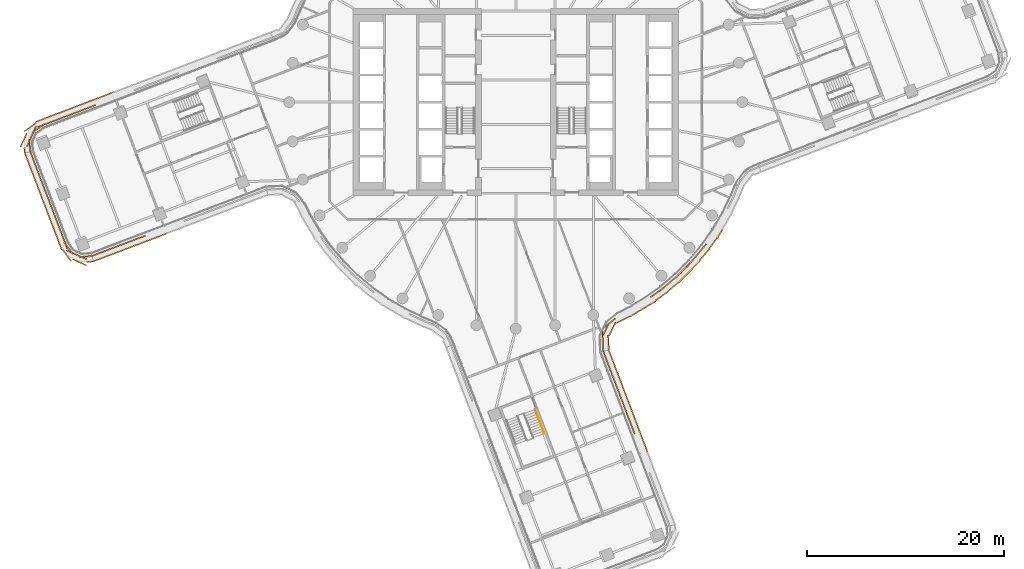
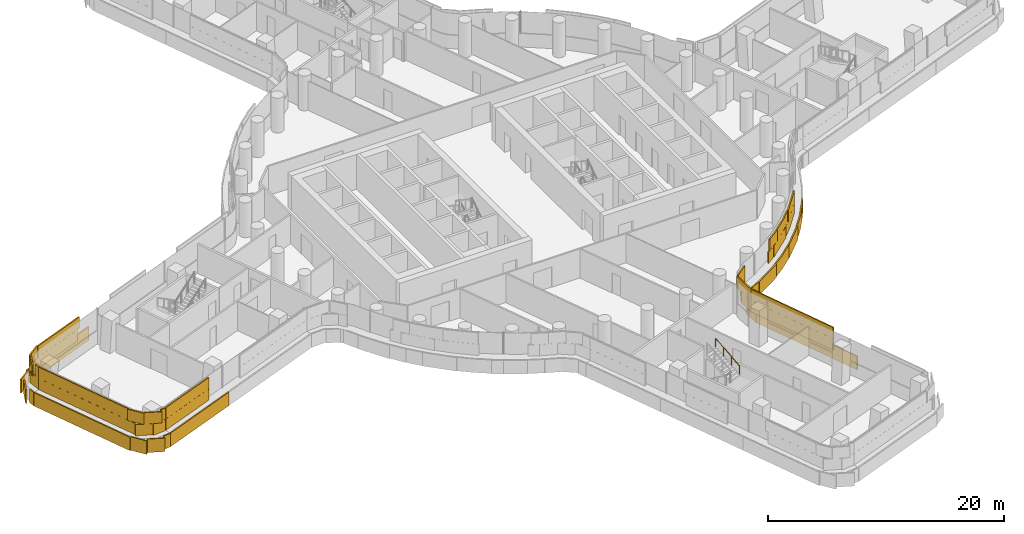
# One storey, part 27 of 32: 5 coverings, 1 railing.
"""IFC4 building model written with IfcOpenShell, lengths in metres."""

from ifc_helpers import new_model, si_unit, direction, frame, origin, origin_2d, place, context, subcontext, project, spatial, rectangle, circle, extrude, material, layer, layer_set, type_object, element, save


model = new_model("IFC4")

# Units and contexts
model_context = context("Model", 3, precision=1e-05, world=origin(), true_north=direction((0.0, 1.0)))
body_context = subcontext(model_context, "Body", "Model", "MODEL_VIEW")
ifc_project = project(units=[si_unit("LENGTHUNIT", "METRE"), si_unit("AREAUNIT", "SQUARE_METRE"), si_unit("VOLUMEUNIT", "CUBIC_METRE"), si_unit("PLANEANGLEUNIT", "RADIAN"), si_unit("MASSUNIT", "GRAM", prefix="KILO")], contexts=[model_context])

# Site, building, storey
site_placement = place(None, origin())
site = spatial("IfcSite", under=ifc_project, at=site_placement, CompositionType="ELEMENT")
building_placement = place(site_placement, origin())
building = spatial("IfcBuilding", under=site, at=building_placement, Name="Tamarind Cross Interchange Tower", CompositionType="ELEMENT")
storey_placement = place(building_placement, frame((0.0, 0.0, 109.75)))
storey = spatial("IfcBuildingStorey", under=building, at=storey_placement, Name="L26", CompositionType="ELEMENT", Elevation=109.75)

# Railing
ifc_material_1 = material(Name="Stair handrail")
railing_type = type_object("IfcRailingType", Name="Stair handrail", PredefinedType="HANDRAIL", material=ifc_material_1)
railing_placement = place(storey_placement, frame((2.889892578125, -33.634521484375, 2.04541015625)))
element("IfcRailing", 1, at=railing_placement, inside=storey, type_object=railing_type, Name="L26 ST6 stair handrail 2", PredefinedType="HANDRAIL", context=body_context, shape_type="SweptSolid", body=[
    extrude(circle(Radius=0.02392578125, at=origin_2d()), frame((0.0, 0.0, 0.8759765625), z_axis=(-0.298327282392, 0.781273527908, 0.548281412388), x_axis=(-0.934209283065, -0.356725406208, 0.0)), (0.0, 0.0, 1.0), 3.10888671875),
    extrude(circle(Radius=0.02099609375, at=origin_2d()), origin(), (0.0, 0.0, 1.0), 0.851806640625),
    extrude(circle(Radius=0.02099609375, at=origin_2d()), frame((-0.30908203125, 0.8095703125, 0.568115234375)), (0.0, 0.0, 1.0), 0.851806640625),
    extrude(circle(Radius=0.02099609375, at=origin_2d()), frame((-0.618408203125, 1.619384765625, 1.136474609375)), (0.0, 0.0, 1.0), 0.851806640625),
    extrude(circle(Radius=0.02099609375, at=origin_2d()), frame((-0.927490234375, 2.428955078125, 1.70458984375)), (0.0, 0.0, 1.0), 0.851806640625),
])

# Coverings
ifc_material_2 = material(Name="Terracotta", Category="masonry")
ifc_layer = layer(ifc_material_2, 0.1201171875)
ifc_layer_set = layer_set([ifc_layer], Name="Terracotta")
covering_type = type_object("IfcCoveringType", Name="Terracotta baguette screen unit", PredefinedType="MOLDING", material=ifc_layer_set)
covering_1_placement = place(storey_placement, origin())
element("IfcCovering", 2, at=covering_1_placement, inside=storey, type_object=covering_type, Name="SCR-L26-00-00", PredefinedType="MOLDING", context=body_context, shape_type="SweptSolid", body=[
    extrude(rectangle(XDim=1.510009765625, YDim=0.1201171875, at=origin_2d()), frame((-49.007568359375, -5.7490234375, 1.404052734375), z_axis=(0.0, 0.0, 1.0), x_axis=(0.356672778674, -0.934229377055, 0.0)), (0.0, 0.0, 1.0), 1.1669921875),
    extrude(rectangle(XDim=1.52001953125, YDim=0.1201171875, at=origin_2d()), frame((-48.47265625, -7.150390625, 1.404052734375), z_axis=(0.0, 0.0, 1.0), x_axis=(0.356672778674, -0.934229377055, 0.0)), (0.0, 0.0, 1.0), 1.1669921875),
    extrude(rectangle(XDim=1.52001953125, YDim=0.1201171875, at=origin_2d()), frame((-47.9375, -8.5517578125, 1.404052734375), z_axis=(0.0, 0.0, 1.0), x_axis=(0.356672778674, -0.934229377055, 0.0)), (0.0, 0.0, 1.0), 1.1669921875),
    extrude(rectangle(XDim=1.52001953125, YDim=0.1201171875, at=origin_2d()), frame((-47.402587890625, -9.953125, 1.404052734375), z_axis=(0.0, 0.0, 1.0), x_axis=(0.356672778674, -0.934229377055, 0.0)), (0.0, 0.0, 1.0), 1.1669921875),
    extrude(rectangle(XDim=1.52001953125, YDim=0.1201171875, at=origin_2d()), frame((-46.867431640625, -11.3544921875, 1.404052734375), z_axis=(0.0, 0.0, 1.0), x_axis=(0.356672778674, -0.934229377055, 0.0)), (0.0, 0.0, 1.0), 1.1669921875),
    extrude(rectangle(XDim=1.52001953125, YDim=0.1201171875, at=origin_2d()), frame((-46.33251953125, -12.755859375, 1.404052734375), z_axis=(0.0, 0.0, 1.0), x_axis=(0.356672778674, -0.934229377055, 0.0)), (0.0, 0.0, 1.0), 1.1669921875),
    extrude(rectangle(XDim=1.52001953125, YDim=0.1201171875, at=origin_2d()), frame((-45.797607421875, -14.1572265625, 1.404052734375), z_axis=(0.0, 0.0, 1.0), x_axis=(0.356672778674, -0.934229377055, 0.0)), (0.0, 0.0, 1.0), 1.1669921875),
    extrude(rectangle(XDim=1.52001953125, YDim=0.1201171875, at=origin_2d()), frame((-44.93017578125, -15.343994140625, 1.404052734375), z_axis=(0.0, 0.0, 1.0), x_axis=(0.912805668165, -0.408394187234, 0.0)), (0.0, 0.0, 1.0), 1.1669921875),
    extrude(rectangle(XDim=1.259521484375, YDim=0.1201171875, at=origin_2d()), frame((-43.638671875, -15.67724609375, 1.404052734375), z_axis=(0.0, 0.0, 1.0), x_axis=(0.994709990966, 0.10272309318, 0.0)), (0.0, 0.0, 1.0), 1.1669921875),
    extrude(rectangle(XDim=0.760009765625, YDim=0.1201171875, at=origin_2d()), frame((-49.141357421875, -5.398681640625, 2.5791015625), z_axis=(0.0, 0.0, 1.0), x_axis=(0.356672778674, -0.934229377055, 0.0)), (0.0, 0.0, 1.0), 1.1669921875),
    extrude(rectangle(XDim=1.52001953125, YDim=0.1201171875, at=origin_2d()), frame((-48.739990234375, -6.44970703125, 2.5791015625), z_axis=(0.0, 0.0, 1.0), x_axis=(0.356672778674, -0.934229377055, 0.0)), (0.0, 0.0, 1.0), 1.1669921875),
    extrude(rectangle(XDim=1.52001953125, YDim=0.1201171875, at=origin_2d()), frame((-48.205078125, -7.85107421875, 2.5791015625), z_axis=(0.0, 0.0, 1.0), x_axis=(0.356672778674, -0.934229377055, 0.0)), (0.0, 0.0, 1.0), 1.1669921875),
    extrude(rectangle(XDim=1.52001953125, YDim=0.1201171875, at=origin_2d()), frame((-47.669921875, -9.25244140625, 2.5791015625), z_axis=(0.0, 0.0, 1.0), x_axis=(0.356672778674, -0.934229377055, 0.0)), (0.0, 0.0, 1.0), 1.1669921875),
    extrude(rectangle(XDim=1.52001953125, YDim=0.1201171875, at=origin_2d()), frame((-47.135009765625, -10.65380859375, 2.5791015625), z_axis=(0.0, 0.0, 1.0), x_axis=(0.356672778674, -0.934229377055, 0.0)), (0.0, 0.0, 1.0), 1.1669921875),
    extrude(rectangle(XDim=1.52001953125, YDim=0.1201171875, at=origin_2d()), frame((-46.60009765625, -12.05517578125, 2.5791015625), z_axis=(0.0, 0.0, 1.0), x_axis=(0.356672778674, -0.934229377055, 0.0)), (0.0, 0.0, 1.0), 1.1669921875),
    extrude(rectangle(XDim=1.52001953125, YDim=0.1201171875, at=origin_2d()), frame((-46.06494140625, -13.45654296875, 2.5791015625), z_axis=(0.0, 0.0, 1.0), x_axis=(0.356672778674, -0.934229377055, 0.0)), (0.0, 0.0, 1.0), 1.1669921875),
    extrude(rectangle(XDim=1.52001953125, YDim=0.1201171875, at=origin_2d()), frame((-45.420654296875, -14.798828125, 2.5791015625), z_axis=(0.0, 0.0, 1.0), x_axis=(0.586315803732, -0.810082574985, 0.0)), (0.0, 0.0, 1.0), 1.1669921875),
    extrude(rectangle(XDim=1.52001953125, YDim=0.1201171875, at=origin_2d()), frame((-44.24560546875, -15.650390625, 2.5791015625), z_axis=(0.0, 0.0, 1.0), x_axis=(0.912805668165, -0.408394187234, 0.0)), (0.0, 0.0, 1.0), 1.1669921875),
    extrude(rectangle(XDim=0.509521484375, YDim=0.1201171875, at=origin_2d()), frame((-43.265869140625, -15.638916015625, 2.5791015625), z_axis=(0.0, 0.0, 1.0), x_axis=(0.994709990966, 0.10272309318, 0.0)), (0.0, 0.0, 1.0), 1.1669921875),
    extrude(rectangle(XDim=1.510009765625, YDim=0.1201171875, at=origin_2d()), frame((-49.569091796875, -5.887939453125, 0.00390625), z_axis=(0.0, 0.0, 1.0), x_axis=(0.356672778674, -0.934229377055, 0.0)), (0.0, 0.0, 1.0), 1.39208984375),
    extrude(rectangle(XDim=1.52001953125, YDim=0.1201171875, at=origin_2d()), frame((-49.03564453125, -7.28466796875, 0.00390625), z_axis=(0.0, 0.0, 1.0), x_axis=(0.356672778674, -0.934229377055, 0.0)), (0.0, 0.0, 1.0), 1.39208984375),
    extrude(rectangle(XDim=1.52001953125, YDim=0.1201171875, at=origin_2d()), frame((-48.500732421875, -8.68603515625, 0.00390625), z_axis=(0.0, 0.0, 1.0), x_axis=(0.356672778674, -0.934229377055, 0.0)), (0.0, 0.0, 1.0), 1.39208984375),
    extrude(rectangle(XDim=1.52001953125, YDim=0.1201171875, at=origin_2d()), frame((-47.9658203125, -10.08740234375, 0.00390625), z_axis=(0.0, 0.0, 1.0), x_axis=(0.356672778674, -0.934229377055, 0.0)), (0.0, 0.0, 1.0), 1.39208984375),
    extrude(rectangle(XDim=1.52001953125, YDim=0.1201171875, at=origin_2d()), frame((-47.4306640625, -11.488525390625, 0.00390625), z_axis=(0.0, 0.0, 1.0), x_axis=(0.356672778674, -0.934229377055, 0.0)), (0.0, 0.0, 1.0), 1.39208984375),
    extrude(rectangle(XDim=1.52001953125, YDim=0.1201171875, at=origin_2d()), frame((-46.895751953125, -12.889892578125, 0.00390625), z_axis=(0.0, 0.0, 1.0), x_axis=(0.356672778674, -0.934229377055, 0.0)), (0.0, 0.0, 1.0), 1.39208984375),
    extrude(rectangle(XDim=1.52001953125, YDim=0.1201171875, at=origin_2d()), frame((-46.360595703125, -14.291259765625, 0.00390625), z_axis=(0.0, 0.0, 1.0), x_axis=(0.356672778674, -0.934229377055, 0.0)), (0.0, 0.0, 1.0), 1.39208984375),
    extrude(rectangle(XDim=1.52001953125, YDim=0.1201171875, at=origin_2d()), frame((-45.578857421875, -15.55908203125, 0.00390625), z_axis=(0.0, 0.0, 1.0), x_axis=(0.586315803732, -0.810082574985, 0.0)), (0.0, 0.0, 1.0), 1.39208984375),
    extrude(rectangle(XDim=1.52001953125, YDim=0.1201171875, at=origin_2d()), frame((-44.283203125, -16.262451171875, 0.00390625), z_axis=(0.0, 0.0, 1.0), x_axis=(0.912805668165, -0.408394187234, 0.0)), (0.0, 0.0, 1.0), 1.39208984375),
    extrude(rectangle(XDim=0.676513671875, YDim=0.1201171875, at=origin_2d()), frame((-43.22021484375, -16.211181640625, 0.00390625), z_axis=(0.0, 0.0, 1.0), x_axis=(0.994709990966, 0.10272309318, 0.0)), (0.0, 0.0, 1.0), 1.39208984375),
])
covering_2_placement = place(storey_placement, origin())
element("IfcCovering", 3, at=covering_2_placement, inside=storey, type_object=covering_type, Name="SCR-L26-01-00", PredefinedType="MOLDING", context=body_context, shape_type="SweptSolid", body=[
    extrude(rectangle(XDim=1.510009765625, YDim=0.1201171875, at=origin_2d()), frame((-42.316162109375, -15.3466796875, 1.404052734375), z_axis=(0.0, 0.0, 1.0), x_axis=(0.934795735228, 0.355185773082, 0.0)), (0.0, 0.0, 1.0), 1.1669921875),
    extrude(rectangle(XDim=1.52001953125, YDim=0.1201171875, at=origin_2d()), frame((-40.9140625, -14.81396484375, 1.404052734375), z_axis=(0.0, 0.0, 1.0), x_axis=(0.934795735228, 0.355185773082, 0.0)), (0.0, 0.0, 1.0), 1.1669921875),
    extrude(rectangle(XDim=1.52001953125, YDim=0.1201171875, at=origin_2d()), frame((-39.51171875, -14.28125, 1.404052734375), z_axis=(0.0, 0.0, 1.0), x_axis=(0.934795735228, 0.355185773082, 0.0)), (0.0, 0.0, 1.0), 1.1669921875),
    extrude(rectangle(XDim=1.300537109375, YDim=0.1201171875, at=origin_2d()), frame((-38.20751953125, -13.78564453125, 1.404052734375), z_axis=(0.0, 0.0, 1.0), x_axis=(0.934795735228, 0.355185773082, 0.0)), (0.0, 0.0, 1.0), 1.1669921875),
    extrude(rectangle(XDim=0.760009765625, YDim=0.1201171875, at=origin_2d()), frame((-42.666748046875, -15.47998046875, 2.5791015625), z_axis=(0.0, 0.0, 1.0), x_axis=(0.934795735228, 0.355185773082, 0.0)), (0.0, 0.0, 1.0), 1.1669921875),
    extrude(rectangle(XDim=1.52001953125, YDim=0.1201171875, at=origin_2d()), frame((-41.614990234375, -15.080322265625, 2.5791015625), z_axis=(0.0, 0.0, 1.0), x_axis=(0.934795735228, 0.355185773082, 0.0)), (0.0, 0.0, 1.0), 1.1669921875),
    extrude(rectangle(XDim=1.52001953125, YDim=0.1201171875, at=origin_2d()), frame((-40.212890625, -14.547607421875, 2.5791015625), z_axis=(0.0, 0.0, 1.0), x_axis=(0.934795735228, 0.355185773082, 0.0)), (0.0, 0.0, 1.0), 1.1669921875),
    extrude(rectangle(XDim=1.52001953125, YDim=0.1201171875, at=origin_2d()), frame((-38.810791015625, -14.014892578125, 2.5791015625), z_axis=(0.0, 0.0, 1.0), x_axis=(0.934795735228, 0.355185773082, 0.0)), (0.0, 0.0, 1.0), 1.1669921875),
    extrude(rectangle(XDim=0.550537109375, YDim=0.1201171875, at=origin_2d()), frame((-37.85693359375, -13.65234375, 2.5791015625), z_axis=(0.0, 0.0, 1.0), x_axis=(0.934795735228, 0.355185773082, 0.0)), (0.0, 0.0, 1.0), 1.1669921875),
    extrude(rectangle(XDim=1.510009765625, YDim=0.1201171875, at=origin_2d()), frame((-42.177734375, -15.908203125, 0.00390625), z_axis=(0.0, 0.0, 1.0), x_axis=(0.934795735228, 0.355185773082, 0.0)), (0.0, 0.0, 1.0), 1.39208984375),
    extrude(rectangle(XDim=1.52001953125, YDim=0.1201171875, at=origin_2d()), frame((-40.7802734375, -15.377197265625, 0.00390625), z_axis=(0.0, 0.0, 1.0), x_axis=(0.934795735228, 0.355185773082, 0.0)), (0.0, 0.0, 1.0), 1.39208984375),
    extrude(rectangle(XDim=1.52001953125, YDim=0.1201171875, at=origin_2d()), frame((-39.378173828125, -14.844482421875, 0.00390625), z_axis=(0.0, 0.0, 1.0), x_axis=(0.934795735228, 0.355185773082, 0.0)), (0.0, 0.0, 1.0), 1.39208984375),
    extrude(rectangle(XDim=1.52001953125, YDim=0.1201171875, at=origin_2d()), frame((-37.975830078125, -14.311767578125, 0.00390625), z_axis=(0.0, 0.0, 1.0), x_axis=(0.934795735228, 0.355185773082, 0.0)), (0.0, 0.0, 1.0), 1.39208984375),
    extrude(rectangle(XDim=1.52001953125, YDim=0.1201171875, at=origin_2d()), frame((-36.57373046875, -13.77880859375, 0.00390625), z_axis=(0.0, 0.0, 1.0), x_axis=(0.934795735228, 0.355185773082, 0.0)), (0.0, 0.0, 1.0), 1.39208984375),
    extrude(rectangle(XDim=0.393310546875, YDim=0.1201171875, at=origin_2d()), frame((-35.6982421875, -13.4462890625, 0.00390625), z_axis=(0.0, 0.0, 1.0), x_axis=(0.934795735228, 0.355185773082, 0.0)), (0.0, 0.0, 1.0), 1.39208984375),
])
covering_3_placement = place(storey_placement, origin())
element("IfcCovering", 4, at=covering_3_placement, inside=storey, type_object=covering_type, Name="SCR-L26-05-01", PredefinedType="MOLDING", context=body_context, shape_type="SweptSolid", body=[
    extrude(rectangle(XDim=0.519287109375, YDim=0.1201171875, at=origin_2d()), frame((11.97412109375, -33.43994140625, 1.404052734375), z_axis=(0.0, 0.0, 1.0), x_axis=(-0.355185773082, 0.934795735228, 0.0)), (0.0, 0.0, 1.0), 1.1669921875),
    extrude(rectangle(XDim=1.52001953125, YDim=0.1201171875, at=origin_2d()), frame((11.617431640625, -32.500732421875, 1.404052734375), z_axis=(0.0, 0.0, 1.0), x_axis=(-0.355185773082, 0.934795735228, 0.0)), (0.0, 0.0, 1.0), 1.1669921875),
    extrude(rectangle(XDim=1.52001953125, YDim=0.1201171875, at=origin_2d()), frame((11.08447265625, -31.0986328125, 1.404052734375), z_axis=(0.0, 0.0, 1.0), x_axis=(-0.355185773082, 0.934795735228, 0.0)), (0.0, 0.0, 1.0), 1.1669921875),
    extrude(rectangle(XDim=1.52001953125, YDim=0.1201171875, at=origin_2d()), frame((10.5517578125, -29.696533203125, 1.404052734375), z_axis=(0.0, 0.0, 1.0), x_axis=(-0.355185773082, 0.934795735228, 0.0)), (0.0, 0.0, 1.0), 1.1669921875),
    extrude(rectangle(XDim=1.52001953125, YDim=0.1201171875, at=origin_2d()), frame((10.01904296875, -28.294189453125, 1.404052734375), z_axis=(0.0, 0.0, 1.0), x_axis=(-0.355185773082, 0.934795735228, 0.0)), (0.0, 0.0, 1.0), 1.1669921875),
    extrude(rectangle(XDim=1.52001953125, YDim=0.1201171875, at=origin_2d()), frame((9.486083984375, -26.89208984375, 1.404052734375), z_axis=(0.0, 0.0, 1.0), x_axis=(-0.355185773082, 0.934795735228, 0.0)), (0.0, 0.0, 1.0), 1.1669921875),
    extrude(rectangle(XDim=0.97705078125, YDim=0.1201171875, at=origin_2d()), frame((9.048095703125, -25.739013671875, 1.404052734375), z_axis=(0.0, 0.0, 1.0), x_axis=(-0.355185773082, 0.934795735228, 0.0)), (0.0, 0.0, 1.0), 1.1669921875),
    extrude(rectangle(XDim=1.269287109375, YDim=0.1201171875, at=origin_2d()), frame((11.841064453125, -33.08935546875, 2.5791015625), z_axis=(0.0, 0.0, 1.0), x_axis=(-0.355185773082, 0.934795735228, 0.0)), (0.0, 0.0, 1.0), 1.1669921875),
    extrude(rectangle(XDim=1.52001953125, YDim=0.1201171875, at=origin_2d()), frame((11.350830078125, -31.7998046875, 2.5791015625), z_axis=(0.0, 0.0, 1.0), x_axis=(-0.355185773082, 0.934795735228, 0.0)), (0.0, 0.0, 1.0), 1.1669921875),
    extrude(rectangle(XDim=1.52001953125, YDim=0.1201171875, at=origin_2d()), frame((10.818115234375, -30.3974609375, 2.5791015625), z_axis=(0.0, 0.0, 1.0), x_axis=(-0.355185773082, 0.934795735228, 0.0)), (0.0, 0.0, 1.0), 1.1669921875),
    extrude(rectangle(XDim=1.52001953125, YDim=0.1201171875, at=origin_2d()), frame((10.285400390625, -28.995361328125, 2.5791015625), z_axis=(0.0, 0.0, 1.0), x_axis=(-0.355185773082, 0.934795735228, 0.0)), (0.0, 0.0, 1.0), 1.1669921875),
    extrude(rectangle(XDim=1.52001953125, YDim=0.1201171875, at=origin_2d()), frame((9.752685546875, -27.59326171875, 2.5791015625), z_axis=(0.0, 0.0, 1.0), x_axis=(-0.355185773082, 0.934795735228, 0.0)), (0.0, 0.0, 1.0), 1.1669921875),
    extrude(rectangle(XDim=1.52001953125, YDim=0.1201171875, at=origin_2d()), frame((9.2197265625, -26.19091796875, 2.5791015625), z_axis=(0.0, 0.0, 1.0), x_axis=(-0.355185773082, 0.934795735228, 0.0)), (0.0, 0.0, 1.0), 1.1669921875),
    extrude(rectangle(XDim=0.22705078125, YDim=0.1201171875, at=origin_2d()), frame((8.914794921875, -25.388427734375, 2.5791015625), z_axis=(0.0, 0.0, 1.0), x_axis=(-0.355185773082, 0.934795735228, 0.0)), (0.0, 0.0, 1.0), 1.1669921875),
    extrude(rectangle(XDim=1.126708984375, YDim=0.1201171875, at=origin_2d()), frame((13.17626953125, -34.98779296875, 0.00390625), z_axis=(0.0, 0.0, 1.0), x_axis=(-0.355185773082, 0.934795735228, 0.0)), (0.0, 0.0, 1.0), 1.39208984375),
    extrude(rectangle(XDim=1.52001953125, YDim=0.1201171875, at=origin_2d()), frame((12.71337890625, -33.769287109375, 0.00390625), z_axis=(0.0, 0.0, 1.0), x_axis=(-0.355185773082, 0.934795735228, 0.0)), (0.0, 0.0, 1.0), 1.39208984375),
    extrude(rectangle(XDim=1.52001953125, YDim=0.1201171875, at=origin_2d()), frame((12.1806640625, -32.3671875, 0.00390625), z_axis=(0.0, 0.0, 1.0), x_axis=(-0.355185773082, 0.934795735228, 0.0)), (0.0, 0.0, 1.0), 1.39208984375),
    extrude(rectangle(XDim=1.52001953125, YDim=0.1201171875, at=origin_2d()), frame((11.647705078125, -30.96484375, 0.00390625), z_axis=(0.0, 0.0, 1.0), x_axis=(-0.355185773082, 0.934795735228, 0.0)), (0.0, 0.0, 1.0), 1.39208984375),
    extrude(rectangle(XDim=1.52001953125, YDim=0.1201171875, at=origin_2d()), frame((11.114990234375, -29.562744140625, 0.00390625), z_axis=(0.0, 0.0, 1.0), x_axis=(-0.355185773082, 0.934795735228, 0.0)), (0.0, 0.0, 1.0), 1.39208984375),
    extrude(rectangle(XDim=1.52001953125, YDim=0.1201171875, at=origin_2d()), frame((10.582275390625, -28.16064453125, 0.00390625), z_axis=(0.0, 0.0, 1.0), x_axis=(-0.355185773082, 0.934795735228, 0.0)), (0.0, 0.0, 1.0), 1.39208984375),
    extrude(rectangle(XDim=1.52001953125, YDim=0.1201171875, at=origin_2d()), frame((10.049560546875, -26.75830078125, 0.00390625), z_axis=(0.0, 0.0, 1.0), x_axis=(-0.355185773082, 0.934795735228, 0.0)), (0.0, 0.0, 1.0), 1.39208984375),
    extrude(rectangle(XDim=0.95947265625, YDim=0.1201171875, at=origin_2d()), frame((9.6162109375, -25.6181640625, 0.00390625), z_axis=(0.0, 0.0, 1.0), x_axis=(-0.355185773082, 0.934795735228, 0.0)), (0.0, 0.0, 1.0), 1.39208984375),
])
covering_4_placement = place(storey_placement, origin())
element("IfcCovering", 5, at=covering_4_placement, inside=storey, type_object=covering_type, Name="SCR-L26-06-00", PredefinedType="MOLDING", context=body_context, shape_type="SweptSolid", body=[
    extrude(rectangle(XDim=1.510009765625, YDim=0.1201171875, at=origin_2d()), frame((8.84423828125, -24.53759765625, 1.404052734375), z_axis=(0.0, 0.0, 1.0), x_axis=(-0.042727525273, 0.99908676229, 0.0)), (0.0, 0.0, 1.0), 1.1669921875),
    extrude(rectangle(XDim=1.52001953125, YDim=0.1201171875, at=origin_2d()), frame((9.130126953125, -23.112548828125, 1.404052734375), z_axis=(0.0, 0.0, 1.0), x_axis=(0.441568715504, 0.89722743465, 0.0)), (0.0, 0.0, 1.0), 1.1669921875),
    extrude(rectangle(XDim=0.787109375, YDim=0.1201171875, at=origin_2d()), frame((9.78857421875, -22.215576171875, 1.404052734375), z_axis=(0.0, 0.0, 1.0), x_axis=(0.778238692139, 0.62796858047, 0.0)), (0.0, 0.0, 1.0), 1.1669921875),
    extrude(rectangle(XDim=1.032958984375, YDim=0.1201171875, at=origin_2d()), frame((14.093017578125, -19.50732421875, 1.404052734375), z_axis=(0.0, 0.0, 1.0), x_axis=(0.811340475102, 0.584573890505, 0.0)), (0.0, 0.0, 1.0), 1.1669921875),
    extrude(rectangle(XDim=1.52001953125, YDim=0.1201171875, at=origin_2d()), frame((15.101318359375, -18.75048828125, 1.404052734375), z_axis=(0.0, 0.0, 1.0), x_axis=(0.760295606781, 0.64957723968, 0.0)), (0.0, 0.0, 1.0), 1.1669921875),
    extrude(rectangle(XDim=1.52001953125, YDim=0.1201171875, at=origin_2d()), frame((16.24169921875, -17.776123046875, 1.404052734375), z_axis=(0.0, 0.0, 1.0), x_axis=(0.760295606781, 0.64957723968, 0.0)), (0.0, 0.0, 1.0), 1.1669921875),
    extrude(rectangle(XDim=1.52001953125, YDim=0.1201171875, at=origin_2d()), frame((17.308837890625, -16.72265625, 1.404052734375), z_axis=(0.0, 0.0, 1.0), x_axis=(0.704057148523, 0.710143317658, 0.0)), (0.0, 0.0, 1.0), 1.1669921875),
    extrude(rectangle(XDim=1.52001953125, YDim=0.1201171875, at=origin_2d()), frame((18.31494140625, -15.612060546875, 1.404052734375), z_axis=(0.0, 0.0, 1.0), x_axis=(0.643009266048, 0.765858396687, 0.0)), (0.0, 0.0, 1.0), 1.1669921875),
    extrude(rectangle(XDim=0.8310546875, YDim=0.1201171875, at=origin_2d()), frame((19.061279296875, -14.723388671875, 1.404052734375), z_axis=(0.0, 0.0, 1.0), x_axis=(0.643009266048, 0.765858396687, 0.0)), (0.0, 0.0, 1.0), 1.1669921875),
    extrude(rectangle(XDim=0.760009765625, YDim=0.1201171875, at=origin_2d()), frame((8.8603515625, -24.912353515625, 2.5791015625), z_axis=(0.0, 0.0, 1.0), x_axis=(-0.042727525273, 0.99908676229, 0.0)), (0.0, 0.0, 1.0), 1.1669921875),
    extrude(rectangle(XDim=1.52001953125, YDim=0.1201171875, at=origin_2d()), frame((8.812255859375, -23.788330078125, 2.5791015625), z_axis=(0.0, 0.0, 1.0), x_axis=(-0.042727525273, 0.99908676229, 0.0)), (0.0, 0.0, 1.0), 1.1669921875),
    extrude(rectangle(XDim=1.52001953125, YDim=0.1201171875, at=origin_2d()), frame((9.486083984375, -22.459716796875, 2.5791015625), z_axis=(0.0, 0.0, 1.0), x_axis=(0.778238692139, 0.62796858047, 0.0)), (0.0, 0.0, 1.0), 1.1669921875),
    extrude(rectangle(XDim=1.52001953125, YDim=0.1201171875, at=origin_2d()), frame((14.508056640625, -19.208251953125, 2.5791015625), z_axis=(0.0, 0.0, 1.0), x_axis=(0.811340475102, 0.584573890505, 0.0)), (0.0, 0.0, 1.0), 1.1669921875),
    extrude(rectangle(XDim=1.52001953125, YDim=0.1201171875, at=origin_2d()), frame((15.671630859375, -18.263427734375, 2.5791015625), z_axis=(0.0, 0.0, 1.0), x_axis=(0.760295606781, 0.64957723968, 0.0)), (0.0, 0.0, 1.0), 1.1669921875),
    extrude(rectangle(XDim=1.52001953125, YDim=0.1201171875, at=origin_2d()), frame((16.78076171875, -17.25537109375, 2.5791015625), z_axis=(0.0, 0.0, 1.0), x_axis=(0.704057148523, 0.710143317658, 0.0)), (0.0, 0.0, 1.0), 1.1669921875),
    extrude(rectangle(XDim=1.52001953125, YDim=0.1201171875, at=origin_2d()), frame((17.832763671875, -16.1865234375, 2.5791015625), z_axis=(0.0, 0.0, 1.0), x_axis=(0.643009266048, 0.765858396687, 0.0)), (0.0, 0.0, 1.0), 1.1669921875),
    extrude(rectangle(XDim=1.52001953125, YDim=0.1201171875, at=origin_2d()), frame((18.79736328125, -15.03759765625, 2.5791015625), z_axis=(0.0, 0.0, 1.0), x_axis=(0.643009266048, 0.765858396687, 0.0)), (0.0, 0.0, 1.0), 1.1669921875),
    extrude(rectangle(XDim=1.510009765625, YDim=0.1201171875, at=origin_2d()), frame((9.41357421875, -24.415283203125, 0.00390625), z_axis=(0.0, 0.0, 1.0), x_axis=(-0.042727525273, 0.99908676229, 0.0)), (0.0, 0.0, 1.0), 1.39208984375),
    extrude(rectangle(XDim=1.52001953125, YDim=0.1201171875, at=origin_2d()), frame((9.8154296875, -23.019775390625, 0.00390625), z_axis=(0.0, 0.0, 1.0), x_axis=(0.441568715504, 0.89722743465, 0.0)), (0.0, 0.0, 1.0), 1.39208984375),
    extrude(rectangle(XDim=1.52001953125, YDim=0.1201171875, at=origin_2d()), frame((10.953369140625, -22.07373046875, 0.00390625), z_axis=(0.0, 0.0, 1.0), x_axis=(0.895356654475, 0.445349819005, 0.0)), (0.0, 0.0, 1.0), 1.39208984375),
    extrude(rectangle(XDim=1.52001953125, YDim=0.1201171875, at=origin_2d()), frame((12.2763671875, -21.369140625, 0.00390625), z_axis=(0.0, 0.0, 1.0), x_axis=(0.856843065292, 0.515577308909, 0.0)), (0.0, 0.0, 1.0), 1.39208984375),
    extrude(rectangle(XDim=1.52001953125, YDim=0.1201171875, at=origin_2d()), frame((13.561767578125, -20.595703125, 0.00390625), z_axis=(0.0, 0.0, 1.0), x_axis=(0.856843065292, 0.515577308909, 0.0)), (0.0, 0.0, 1.0), 1.39208984375),
    extrude(rectangle(XDim=1.52001953125, YDim=0.1201171875, at=origin_2d()), frame((14.779541015625, -19.72021484375, 0.00390625), z_axis=(0.0, 0.0, 1.0), x_axis=(0.811340475102, 0.584573890505, 0.0)), (0.0, 0.0, 1.0), 1.39208984375),
    extrude(rectangle(XDim=1.52001953125, YDim=0.1201171875, at=origin_2d()), frame((15.9482421875, -18.781982421875, 0.00390625), z_axis=(0.0, 0.0, 1.0), x_axis=(0.760295606781, 0.64957723968, 0.0)), (0.0, 0.0, 1.0), 1.39208984375),
    extrude(rectangle(XDim=1.52001953125, YDim=0.1201171875, at=origin_2d()), frame((17.06591796875, -17.782958984375, 0.00390625), z_axis=(0.0, 0.0, 1.0), x_axis=(0.704057148523, 0.710143317658, 0.0)), (0.0, 0.0, 1.0), 1.39208984375),
    extrude(rectangle(XDim=1.52001953125, YDim=0.1201171875, at=origin_2d()), frame((18.1220703125, -16.7177734375, 0.00390625), z_axis=(0.0, 0.0, 1.0), x_axis=(0.704057148523, 0.710143317658, 0.0)), (0.0, 0.0, 1.0), 1.39208984375),
    extrude(rectangle(XDim=1.52001953125, YDim=0.1201171875, at=origin_2d()), frame((19.094482421875, -15.576171875, 0.00390625), z_axis=(0.0, 0.0, 1.0), x_axis=(0.643009266048, 0.765858396687, 0.0)), (0.0, 0.0, 1.0), 1.39208984375),
    extrude(rectangle(XDim=1.52001953125, YDim=0.1201171875, at=origin_2d()), frame((20.0048828125, -14.385498046875, 0.00390625), z_axis=(0.0, 0.0, 1.0), x_axis=(0.577568978284, 0.816341886298, 0.0)), (0.0, 0.0, 1.0), 1.39208984375),
    extrude(rectangle(XDim=0.985595703125, YDim=0.1201171875, at=origin_2d()), frame((20.715087890625, -13.378173828125, 0.00390625), z_axis=(0.0, 0.0, 1.0), x_axis=(0.508183308752, 0.861248933065, 0.0)), (0.0, 0.0, 1.0), 1.39208984375),
])
covering_5_placement = place(storey_placement, origin())
element("IfcCovering", 6, at=covering_5_placement, inside=storey, type_object=covering_type, Name="SCR-L26-15-02", PredefinedType="MOLDING", context=body_context, shape_type="SweptSolid", body=[
    extrude(rectangle(XDim=1.52001953125, YDim=0.1201171875, at=origin_2d()), frame((-43.609619140625, -0.6611328125, 1.404052734375), z_axis=(0.0, 0.0, 1.0), x_axis=(-0.934229377055, -0.356672778674, 0.0)), (0.0, 0.0, 1.0), 1.1669921875),
    extrude(rectangle(XDim=1.52001953125, YDim=0.1201171875, at=origin_2d()), frame((-45.010986328125, -1.196044921875, 1.404052734375), z_axis=(0.0, 0.0, 1.0), x_axis=(-0.934229377055, -0.356672778674, 0.0)), (0.0, 0.0, 1.0), 1.1669921875),
    extrude(rectangle(XDim=1.52001953125, YDim=0.1201171875, at=origin_2d()), frame((-46.412353515625, -1.73095703125, 1.404052734375), z_axis=(0.0, 0.0, 1.0), x_axis=(-0.934229377055, -0.356672778674, 0.0)), (0.0, 0.0, 1.0), 1.1669921875),
    extrude(rectangle(XDim=1.52001953125, YDim=0.1201171875, at=origin_2d()), frame((-47.813720703125, -2.26611328125, 1.404052734375), z_axis=(0.0, 0.0, 1.0), x_axis=(-0.934229377055, -0.356672778674, 0.0)), (0.0, 0.0, 1.0), 1.1669921875),
    extrude(rectangle(XDim=1.52001953125, YDim=0.1201171875, at=origin_2d()), frame((-49.00341796875, -3.130126953125, 1.404052734375), z_axis=(0.0, 0.0, 1.0), x_axis=(-0.408394187234, -0.912805668165, 0.0)), (0.0, 0.0, 1.0), 1.1669921875),
    extrude(rectangle(XDim=1.265625, YDim=0.1201171875, at=origin_2d()), frame((-49.339599609375, -4.424072265625, 1.404052734375), z_axis=(0.0, 0.0, 1.0), x_axis=(0.10272309318, -0.994709990966, 0.0)), (0.0, 0.0, 1.0), 1.1669921875),
    extrude(rectangle(XDim=1.025146484375, YDim=0.1201171875, at=origin_2d()), frame((-43.13525390625, -0.47998046875, 2.5791015625), z_axis=(0.0, 0.0, 1.0), x_axis=(-0.934229377055, -0.356672778674, 0.0)), (0.0, 0.0, 1.0), 1.1669921875),
    extrude(rectangle(XDim=1.52001953125, YDim=0.1201171875, at=origin_2d()), frame((-44.310302734375, -0.928466796875, 2.5791015625), z_axis=(0.0, 0.0, 1.0), x_axis=(-0.934229377055, -0.356672778674, 0.0)), (0.0, 0.0, 1.0), 1.1669921875),
    extrude(rectangle(XDim=1.52001953125, YDim=0.1201171875, at=origin_2d()), frame((-45.711669921875, -1.463623046875, 2.5791015625), z_axis=(0.0, 0.0, 1.0), x_axis=(-0.934229377055, -0.356672778674, 0.0)), (0.0, 0.0, 1.0), 1.1669921875),
    extrude(rectangle(XDim=1.52001953125, YDim=0.1201171875, at=origin_2d()), frame((-47.113037109375, -1.99853515625, 2.5791015625), z_axis=(0.0, 0.0, 1.0), x_axis=(-0.934229377055, -0.356672778674, 0.0)), (0.0, 0.0, 1.0), 1.1669921875),
    extrude(rectangle(XDim=1.52001953125, YDim=0.1201171875, at=origin_2d()), frame((-48.455810546875, -2.6416015625, 2.5791015625), z_axis=(0.0, 0.0, 1.0), x_axis=(-0.810082574985, -0.586315803732, 0.0)), (0.0, 0.0, 1.0), 1.1669921875),
    extrude(rectangle(XDim=1.52001953125, YDim=0.1201171875, at=origin_2d()), frame((-49.309814453125, -3.814697265625, 2.5791015625), z_axis=(0.0, 0.0, 1.0), x_axis=(-0.408394187234, -0.912805668165, 0.0)), (0.0, 0.0, 1.0), 1.1669921875),
    extrude(rectangle(XDim=0.515625, YDim=0.1201171875, at=origin_2d()), frame((-49.301025390625, -4.797119140625, 2.5791015625), z_axis=(0.0, 0.0, 1.0), x_axis=(0.10272309318, -0.994709990966, 0.0)), (0.0, 0.0, 1.0), 1.1669921875),
    extrude(rectangle(XDim=0.83349609375, YDim=0.1201171875, at=origin_2d()), frame((-41.345947265625, 0.817626953125, 0.00390625), z_axis=(0.0, 0.0, 1.0), x_axis=(-0.934229377055, -0.356672778674, 0.0)), (0.0, 0.0, 1.0), 1.39208984375),
    extrude(rectangle(XDim=1.52001953125, YDim=0.1201171875, at=origin_2d()), frame((-42.426513671875, 0.405029296875, 0.00390625), z_axis=(0.0, 0.0, 1.0), x_axis=(-0.934229377055, -0.356672778674, 0.0)), (0.0, 0.0, 1.0), 1.39208984375),
    extrude(rectangle(XDim=1.52001953125, YDim=0.1201171875, at=origin_2d()), frame((-43.827880859375, -0.1298828125, 0.00390625), z_axis=(0.0, 0.0, 1.0), x_axis=(-0.934229377055, -0.356672778674, 0.0)), (0.0, 0.0, 1.0), 1.39208984375),
    extrude(rectangle(XDim=1.52001953125, YDim=0.1201171875, at=origin_2d()), frame((-45.229248046875, -0.6650390625, 0.00390625), z_axis=(0.0, 0.0, 1.0), x_axis=(-0.934229377055, -0.356672778674, 0.0)), (0.0, 0.0, 1.0), 1.39208984375),
    extrude(rectangle(XDim=1.52001953125, YDim=0.1201171875, at=origin_2d()), frame((-46.630615234375, -1.199951171875, 0.00390625), z_axis=(0.0, 0.0, 1.0), x_axis=(-0.934229377055, -0.356672778674, 0.0)), (0.0, 0.0, 1.0), 1.39208984375),
    extrude(rectangle(XDim=1.52001953125, YDim=0.1201171875, at=origin_2d()), frame((-48.031982421875, -1.73486328125, 0.00390625), z_axis=(0.0, 0.0, 1.0), x_axis=(-0.934229377055, -0.356672778674, 0.0)), (0.0, 0.0, 1.0), 1.39208984375),
    extrude(rectangle(XDim=1.52001953125, YDim=0.1201171875, at=origin_2d()), frame((-49.289306640625, -2.5361328125, 0.00390625), z_axis=(0.0, 0.0, 1.0), x_axis=(-0.810082574985, -0.586315803732, 0.0)), (0.0, 0.0, 1.0), 1.39208984375),
    extrude(rectangle(XDim=1.52001953125, YDim=0.1201171875, at=origin_2d()), frame((-49.958740234375, -3.859375, 0.00390625), z_axis=(0.0, 0.0, 1.0), x_axis=(-0.408394187234, -0.912805668165, 0.0)), (0.0, 0.0, 1.0), 1.39208984375),
    extrude(rectangle(XDim=0.593017578125, YDim=0.1201171875, at=origin_2d()), frame((-49.86865234375, -4.8876953125, 0.00390625), z_axis=(0.0, 0.0, 1.0), x_axis=(0.10272309318, -0.994709990966, 0.0)), (0.0, 0.0, 1.0), 1.39208984375),
])

save(model, "model.ifc")
